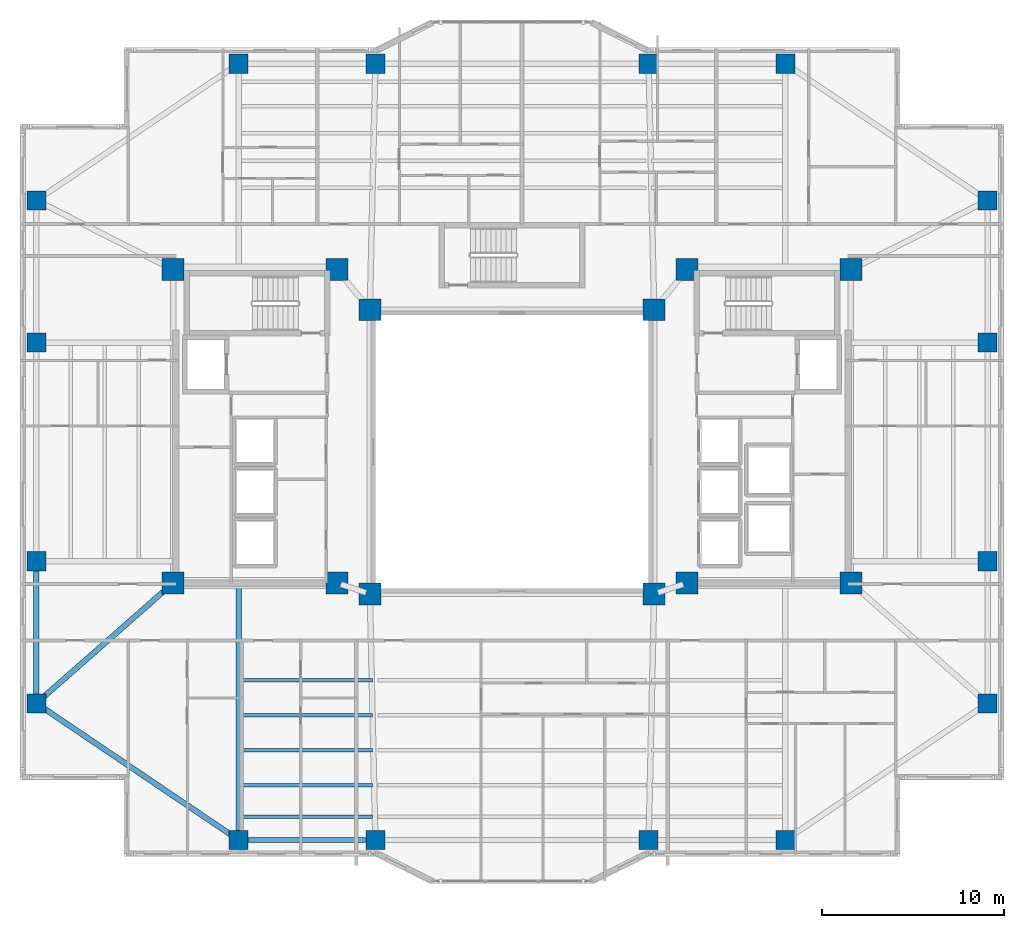
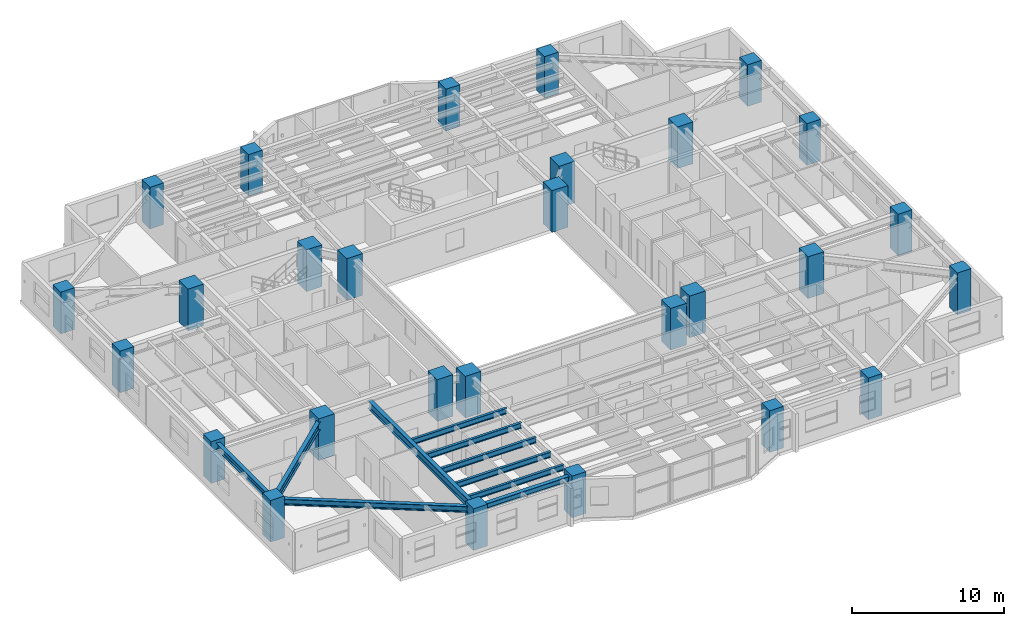
# One storey, part 1 of 19: 28 columns, 10 beams.
"""IFC4 building model written with IfcOpenShell, lengths in metres."""

import ifcopenshell
import ifcopenshell.guid

model = None  # the IFC model being written
_history = None  # IfcOwnerHistory: only IFC2X3 demands one
_inside = {}  # id of a spatial element -> (the spatial element, [elements in it])
_under = {}  # id of a project, library or spatial element -> (it, [spatial elements below it])
_declared = {}  # id of a project -> (the project, [libraries it declares])
_typed = {}  # id of a type object -> (the type object, [elements of that type])
_made_of = {}  # id of a material, layer set ... -> (it, [elements and type objects made of it])


def new_model(schema):
    """Start an empty IFC model of exactly this schema.

    Asked for "IFC4X3", IfcOpenShell would pick the latest addendum, in which some entities
    have other attributes; the version numbers below select the first issue.
    IFC2X3 requires an IfcOwnerHistory on every rooted entity: one is made here for all.
    """
    global model, _history
    if schema == "IFC4X3":
        model = ifcopenshell.file(schema_version=(4, 3, 0, 0))
    else:
        model = ifcopenshell.file(schema=schema)
    _inside.clear()
    _under.clear()
    _declared.clear()
    _typed.clear()
    _made_of.clear()
    _history = None
    if model.schema == "IFC2X3":
        org = make("IfcOrganization", Name="unknown")
        user = make(
            "IfcPersonAndOrganization",
            ThePerson=make("IfcPerson", FamilyName="unknown"),
            TheOrganization=org,
        )
        app = make(
            "IfcApplication",
            ApplicationDeveloper=org,
            Version="unknown",
            ApplicationFullName="unknown",
            ApplicationIdentifier="unknown",
        )
        _history = make(
            "IfcOwnerHistory",
            OwningUser=user,
            OwningApplication=app,
            ChangeAction="ADDED",
            CreationDate=0,
        )
    return model


def make(cls, **values):
    """One entity of the class cls with the attributes given. An attribute that is None is left unset."""
    return model.create_entity(
        cls, **{name: value for name, value in values.items() if value is not None}
    )


def rooted(cls, **values):
    """An entity with a GlobalId (a new one), such as an element, a storey or a relation."""
    return make(cls, GlobalId=ifcopenshell.guid.new(), OwnerHistory=_history, **values)


def si_unit(unit_type, name, prefix=None):
    """IfcSIUnit, for example si_unit("LENGTHUNIT", "METRE", prefix="MILLI")."""
    return make("IfcSIUnit", UnitType=unit_type, Prefix=prefix, Name=name)


def assignment(units):
    """IfcUnitAssignment: the units of a project."""
    return None if units is None else make("IfcUnitAssignment", Units=units)


def point(xyz):
    """IfcCartesianPoint."""
    return None if xyz is None else make("IfcCartesianPoint", Coordinates=xyz)


def direction(xyz):
    """IfcDirection."""
    return None if xyz is None else make("IfcDirection", DirectionRatios=xyz)


def frame(location, z_axis=None, x_axis=None):
    """IfcAxis2Placement3D, a coordinate frame: its origin and axes. An axis left out is left unset."""
    return make(
        "IfcAxis2Placement3D",
        Location=point(location),
        Axis=direction(z_axis),
        RefDirection=direction(x_axis),
    )


def frame_2d(location, x_axis=None):
    """IfcAxis2Placement2D, a coordinate frame in the plane: its origin and x axis."""
    return make(
        "IfcAxis2Placement2D", Location=point(location), RefDirection=direction(x_axis)
    )


def origin():
    """The frame at (0, 0, 0) with its axes left unset."""
    return frame((0.0, 0.0, 0.0))


def origin_2d():
    """The frame at (0, 0) in the plane with its x axis left unset."""
    return frame_2d((0.0, 0.0))


def place(relative_to, where):
    """IfcLocalPlacement: puts the frame where relative to a parent placement (None: the world)."""
    return make(
        "IfcLocalPlacement", PlacementRelTo=relative_to, RelativePlacement=where
    )


def context(
    kind, dimensions, precision=None, world=None, true_north=None, identifier=None
):
    """IfcGeometricRepresentationContext, for example the 3D "Model" context."""
    return make(
        "IfcGeometricRepresentationContext",
        ContextIdentifier=identifier,
        ContextType=kind,
        CoordinateSpaceDimension=dimensions,
        Precision=precision,
        WorldCoordinateSystem=world,
        TrueNorth=true_north,
    )


def subcontext(parent, identifier, kind, view, scale=None):
    """IfcGeometricRepresentationSubContext, for example "Body" below "Model"."""
    return make(
        "IfcGeometricRepresentationSubContext",
        ContextIdentifier=identifier,
        ContextType=kind,
        ParentContext=parent,
        TargetScale=scale,
        TargetView=view,
    )


def project(units=None, contexts=None):
    """IfcProject with its units and contexts."""
    return rooted(
        "IfcProject",
        Name="project",
        RepresentationContexts=contexts,
        UnitsInContext=assignment(units),
    )


def spatial(cls, under=None, at=None, **own):
    """A site, building, storey or space (cls), placed at a placement, below another one or the project."""
    s = rooted(cls, ObjectPlacement=at, **own)
    if under is not None:
        _under.setdefault(under.id(), (under, []))[1].append(s)
    return s


def profile(cls, at=None, kind="AREA", **sizes):
    """A parametric profile (cls). Its sizes go by their IFC names, for example OverallWidth=200.0."""
    return make(cls, ProfileType=kind, Position=at, **sizes)


def rectangle(**sizes):
    """IfcRectangleProfileDef."""
    return profile("IfcRectangleProfileDef", **sizes)


def i_section(**sizes):
    """IfcIShapeProfileDef."""
    return profile("IfcIShapeProfileDef", **sizes)


def extrude(swept, where, along, depth):
    """IfcExtrudedAreaSolid: the profile swept, set in the frame where, extruded along a direction by depth."""
    return make(
        "IfcExtrudedAreaSolid",
        SweptArea=swept,
        Position=where,
        ExtrudedDirection=direction(along),
        Depth=depth,
    )


def shape(context_of_items, identifier, shape_type, items):
    """IfcShapeRepresentation: the items that make up one representation, for example the "Body"."""
    return make(
        "IfcShapeRepresentation",
        ContextOfItems=context_of_items,
        RepresentationIdentifier=identifier,
        RepresentationType=shape_type,
        Items=items,
    )


def material(Name=None, Category=None):
    """IfcMaterial."""
    return make("IfcMaterial", Name=Name, Category=Category)


def material_profile(
    of_material, cross_section, Name=None, Category=None, Priority=None
):
    """IfcMaterialProfile: a cross section and its material."""
    return make(
        "IfcMaterialProfile",
        Name=Name,
        Material=of_material,
        Profile=cross_section,
        Priority=Priority,
        Category=Category,
    )


def profile_set(profiles, Name=None, composite=None):
    """IfcMaterialProfileSet."""
    return make(
        "IfcMaterialProfileSet",
        Name=Name,
        MaterialProfiles=profiles,
        CompositeProfile=composite,
    )


def made_of(thing, what):
    """Note that an element or type object is made of a material, layer set ...; save() writes the relation."""
    if what is not None:
        _made_of.setdefault(what.id(), (what, []))[1].append(thing)
    return thing


def type_object(cls, material=None, **own):
    """A type object (cls), such as IfcWallType, which elements share."""
    return made_of(rooted(cls, **own), material)


def element(
    cls,
    number,
    at=None,
    inside=None,
    cuts=None,
    type_object=None,
    material=None,
    context=None,
    identifier="Body",
    shape_type=None,
    held_by="IfcProductDefinitionShape",
    body=None,
    shapes=None,
    **own,
):
    """One element of the class cls, such as IfcWall. Its Tag is "e" and its number.

    at: its placement. inside: the storey or other place that contains it. cuts: it is an
    opening in that element (IfcRelVoidsElement). A single representation is given by context,
    identifier, shape_type and body (its items); several are given by shapes. held_by: the class
    of the entity that holds the representations. save() writes the other relations.
    """
    e = rooted(cls, Tag="e%d" % number, ObjectPlacement=at, **own)
    if body is not None:
        shapes = [shape(context, identifier, shape_type, body)]
    if shapes is not None:
        e.Representation = make(held_by, Representations=shapes)
    if inside is not None:
        _inside.setdefault(inside.id(), (inside, []))[1].append(e)
    if cuts is not None:
        rooted(
            "IfcRelVoidsElement", RelatingBuildingElement=cuts, RelatedOpeningElement=e
        )
    if type_object is not None:
        _typed.setdefault(type_object.id(), (type_object, []))[1].append(e)
    return made_of(e, material)


def aggregate(whole, parts):
    """IfcRelAggregates: a whole, such as a stair, and the parts it consists of."""
    return rooted("IfcRelAggregates", RelatingObject=whole, RelatedObjects=parts)


def save(model, path):
    """Write the relations noted so far, then the file.

    IfcRelAggregates (storeys below a building ...), IfcRelContainedInSpatialStructure (elements
    in a storey), IfcRelDefinesByType, IfcRelAssociatesMaterial and IfcRelDeclares: one each for
    every whole, place, type object, material and project.
    """
    for whole, parts in _under.values():
        aggregate(whole, parts)
    for where, things in _inside.values():
        rooted(
            "IfcRelContainedInSpatialStructure",
            RelatedElements=things,
            RelatingStructure=where,
        )
    for kind, things in _typed.values():
        rooted("IfcRelDefinesByType", RelatedObjects=things, RelatingType=kind)
    for what, things in _made_of.values():
        rooted("IfcRelAssociatesMaterial", RelatedObjects=things, RelatingMaterial=what)
    for by, libraries in _declared.values():
        rooted("IfcRelDeclares", RelatingContext=by, RelatedDefinitions=libraries)
    model.write(path)


model = new_model("IFC4")

# Units and contexts
model_context = context("Model", 3, precision=1e-05, world=origin(), true_north=direction((0.0, 1.0)))
body_context = subcontext(model_context, "Body", "Model", "MODEL_VIEW")
ifc_project = project(units=[si_unit("LENGTHUNIT", "METRE"), si_unit("AREAUNIT", "SQUARE_METRE"), si_unit("VOLUMEUNIT", "CUBIC_METRE"), si_unit("PLANEANGLEUNIT", "RADIAN"), si_unit("MASSUNIT", "GRAM", prefix="KILO")], contexts=[model_context])

# Site, building, storey
site_placement = place(None, origin())
site = spatial("IfcSite", under=ifc_project, at=site_placement, CompositionType="ELEMENT")
building_placement = place(site_placement, origin())
building = spatial("IfcBuilding", under=site, at=building_placement, Name="Tarnavaz Court Tower", CompositionType="ELEMENT")
storey_placement = place(building_placement, frame((0.0, 0.0, 111.800048828125)))
storey = spatial("IfcBuildingStorey", under=building, at=storey_placement, Name="L30", CompositionType="ELEMENT", Elevation=111.800048828125)

# Columns
ifc_material_1 = material(Name="Concrete C60/75", Category="concrete")
ifc_material_profile_1 = material_profile(ifc_material_1, rectangle(XDim=1.050048828125, YDim=1.050048828125, at=origin_2d()), Name="RC 1050X1050")
ifc_profile_set_1 = profile_set([ifc_material_profile_1], Name="Concrete C60/75")
column_type_1 = type_object("IfcColumnType", Name="CL-RC1050", PredefinedType="COLUMN", material=ifc_profile_set_1)
for number, where, z_axis, x_axis, name in (
    (1, (-15.0, 21.300048828125, 0.0), (0.0, 0.0, 1.0), (1.0, 0.0, 0.0), "L30 Column PN-1"),
    (2, (-7.5, 21.300048828125, 0.0), (0.0, 0.0, 1.0), (1.0, 0.0, 0.0), "L30 Column PN-2"),
    (3, (7.5, 21.300048828125, 0.0), (0.0, 0.0, 1.0), (1.0, 0.0, 0.0), "L30 Column PN-3"),
    (4, (15.0, 21.300048828125, 0.0), (0.0, 0.0, 1.0), (1.0, 0.0, 0.0), "L30 Column PN-4"),
    (5, (-15.0, -21.300048828125, 0.0), (0.0, 0.0, 1.0), (1.0, 0.0, 0.0), "L30 Column PS-1"),
    (6, (-7.5, -21.300048828125, 0.0), (0.0, 0.0, 1.0), (1.0, 0.0, 0.0), "L30 Column PS-2"),
    (7, (7.5, -21.300048828125, 0.0), (0.0, 0.0, 1.0), (1.0, 0.0, 0.0), "L30 Column PS-3"),
    (8, (15.0, -21.300048828125, 0.0), (0.0, 0.0, 1.0), (1.0, 0.0, 0.0), "L30 Column PS-4"),
    (9, (26.10009765625, -13.800048828125, 0.0), (0.0, 0.0, 1.0), (1.0, 0.0, 0.0), "L30 Column PE-1"),
    (10, (26.10009765625, -6.0, 0.0), (0.0, 0.0, 1.0), (1.0, 0.0, 0.0), "L30 Column PE-2"),
    (11, (26.10009765625, 6.0, 0.0), (0.0, 0.0, 1.0), (1.0, 0.0, 0.0), "L30 Column PE-3"),
    (12, (26.10009765625, 13.800048828125, 0.0), (0.0, 0.0, 1.0), (1.0, 0.0, 0.0), "L30 Column PE-4"),
    (13, (-26.10009765625, -13.800048828125, 0.0), (0.0, 0.0, 1.0), (1.0, 0.0, 0.0), "L30 Column PW-1"),
    (14, (-26.10009765625, -6.0, 0.0), (0.0, 0.0, 1.0), (1.0, 0.0, 0.0), "L30 Column PW-2"),
    (15, (-26.10009765625, 6.0, 0.0), (0.0, 0.0, 1.0), (1.0, 0.0, 0.0), "L30 Column PW-3"),
    (16, (-26.10009765625, 13.800048828125, 0.0), (0.0, 0.0, 1.0), (1.0, 0.0, 0.0), "L30 Column PW-4"),
):
    element("IfcColumn", number, at=place(storey_placement, frame(where, z_axis=z_axis, x_axis=x_axis)), inside=storey, type_object=column_type_1, Name=name, PredefinedType="COLUMN", context=body_context, shape_type="SweptSolid", body=[
        extrude(rectangle(XDim=1.050048828125, YDim=1.050048828125, at=origin_2d()), origin(), (0.0, 0.0, 1.0), 3.349853515625),
    ])
ifc_material_profile_2 = material_profile(ifc_material_1, rectangle(XDim=1.199951171875, YDim=1.199951171875, at=origin_2d()), Name="RC 1200X1200")
ifc_profile_set_2 = profile_set([ifc_material_profile_2], Name="Concrete C60/75")
column_type_2 = type_object("IfcColumnType", Name="CL-RC1200", PredefinedType="COLUMN", material=ifc_profile_set_2)
for number, where, z_axis, x_axis, name in (
    (17, (-7.800048828125, -7.800048828125, 0.0), (0.0, 0.0, 1.0), (1.0, 0.0, 0.0), "L30 Column IW-SW"),
    (18, (7.800048828125, -7.800048828125, 0.0), (0.0, 0.0, 1.0), (1.0, 0.0, 0.0), "L30 Column IW-SE"),
    (19, (-7.800048828125, 7.800048828125, 0.0), (0.0, 0.0, 1.0), (1.0, 0.0, 0.0), "L30 Column IW-NW"),
    (20, (7.800048828125, 7.800048828125, 0.0), (0.0, 0.0, 1.0), (1.0, 0.0, 0.0), "L30 Column IW-NE"),
    (21, (-9.60009765625, -7.199951171875, 0.0), (0.0, 0.0, 1.0), (1.0, 0.0, 0.0), "L30 Column CW-SI"),
    (22, (-9.60009765625, 10.0, 0.0), (0.0, 0.0, 1.0), (1.0, 0.0, 0.0), "L30 Column CW-NI"),
    (23, (9.60009765625, -7.199951171875, 0.0), (0.0, 0.0, 1.0), (1.0, 0.0, 0.0), "L30 Column CE-SI"),
    (24, (9.60009765625, 10.0, 0.0), (0.0, 0.0, 1.0), (1.0, 0.0, 0.0), "L30 Column CE-NI"),
    (25, (-18.60009765625, -7.199951171875, 0.0), (0.0, 0.0, 1.0), (1.0, 0.0, 0.0), "L30 Column CW-SO"),
    (26, (-18.60009765625, 10.0, 0.0), (0.0, 0.0, 1.0), (1.0, 0.0, 0.0), "L30 Column CW-NO"),
    (27, (18.60009765625, -7.199951171875, 0.0), (0.0, 0.0, 1.0), (1.0, 0.0, 0.0), "L30 Column CE-SO"),
    (28, (18.60009765625, 10.0, 0.0), (0.0, 0.0, 1.0), (1.0, 0.0, 0.0), "L30 Column CE-NO"),
):
    element("IfcColumn", number, at=place(storey_placement, frame(where, z_axis=z_axis, x_axis=x_axis)), inside=storey, type_object=column_type_2, Name=name, PredefinedType="COLUMN", context=body_context, shape_type="SweptSolid", body=[
        extrude(rectangle(XDim=1.199951171875, YDim=1.199951171875, at=origin_2d()), origin(), (0.0, 0.0, 1.0), 3.349853515625),
    ])

# Beams
ifc_material_2 = material(Name="Steel S355", Category="steel")
ifc_material_profile_3 = material_profile(ifc_material_2, i_section(OverallWidth=0.300048828125, OverallDepth=0.64990234375, WebThickness=0.01611328125, FlangeThickness=0.031005859375, FilletRadius=0.027099609375, at=origin_2d()), Name="HEB 650")
ifc_profile_set_3 = profile_set([ifc_material_profile_3], Name="Steel S355")
beam_type_1 = type_object("IfcBeamType", Name="BM-G-HEB650", PredefinedType="USERDEFINED", material=ifc_profile_set_3)
beam_1_placement = place(storey_placement, frame((-15.0, -7.239990234375, 2.77490234375), z_axis=(0.0, -1.0, 0.0), x_axis=(1.0, 0.0, 0.0)))
element("IfcBeam", 29, at=beam_1_placement, inside=storey, type_object=beam_type_1, Name="L30 Beam RG-05", ObjectType="GIRDER", PredefinedType="USERDEFINED", context=body_context, shape_type="SweptSolid", body=[
    extrude(i_section(OverallWidth=0.300048828125, OverallDepth=0.64990234375, WebThickness=0.01611328125, FlangeThickness=0.031005859375, FilletRadius=0.027099609375, at=origin_2d()), origin(), (0.0, 0.0, 1.0), 13.840087890625),
])
beam_2_placement = place(storey_placement, frame((-18.76513671875, -7.34521484375, 2.77490234375), z_axis=(-0.750700332035, -0.660642877417, 0.0), x_axis=(0.660642877417, -0.750700332035, 0.0)))
element("IfcBeam", 30, at=beam_2_placement, inside=storey, type_object=beam_type_1, Name="L30 Beam RG-15", ObjectType="GIRDER", PredefinedType="USERDEFINED", context=body_context, shape_type="SweptSolid", body=[
    extrude(i_section(OverallWidth=0.300048828125, OverallDepth=0.64990234375, WebThickness=0.01611328125, FlangeThickness=0.031005859375, FilletRadius=0.027099609375, at=origin_2d()), origin(), (0.0, 0.0, 1.0), 9.550537109375),
])
ifc_material_profile_4 = material_profile(ifc_material_2, i_section(OverallWidth=0.18994140625, OverallDepth=0.449951171875, WebThickness=0.009521484375, FlangeThickness=0.0146484375, FilletRadius=0.02099609375, at=origin_2d()), Name="IPE 450")
ifc_profile_set_4 = profile_set([ifc_material_profile_4], Name="Steel S355")
beam_type_2 = type_object("IfcBeamType", Name="BM-J-IPE450", PredefinedType="JOIST", material=ifc_profile_set_4)
for number, where, z_axis, x_axis, name in (
    (31, (-14.85009765625, -12.52587890625, 2.875), (1.0, 0.0, 0.0), (0.0, 1.0, 0.0), "L30 Beam JS1-1"),
    (32, (-14.85009765625, -14.451904296875, 2.875), (1.0, 0.0, 0.0), (0.0, 1.0, 0.0), "L30 Beam JS2-1"),
    (33, (-14.85009765625, -16.3779296875, 2.875), (1.0, 0.0, 0.0), (0.0, 1.0, 0.0), "L30 Beam JS3-1"),
    (34, (-14.85009765625, -18.303955078125, 2.875), (1.0, 0.0, 0.0), (0.0, 1.0, 0.0), "L30 Beam JS4-1"),
    (35, (-14.85009765625, -20.01611328125, 2.875), (1.0, 0.0, 0.0), (0.0, 1.0, 0.0), "L30 Beam JS5-1"),
):
    element("IfcBeam", number, at=place(storey_placement, frame(where, z_axis=z_axis, x_axis=x_axis)), inside=storey, type_object=beam_type_2, Name=name, PredefinedType="JOIST", context=body_context, shape_type="SweptSolid", body=[
        extrude(i_section(OverallWidth=0.18994140625, OverallDepth=0.449951171875, WebThickness=0.009521484375, FlangeThickness=0.0146484375, FilletRadius=0.02099609375, at=origin_2d()), origin(), (0.0, 0.0, 1.0), 7.2001953125),
    ])
ifc_material_profile_5 = material_profile(ifc_material_2, i_section(OverallWidth=0.300048828125, OverallDepth=0.489990234375, WebThickness=0.011962890625, FlangeThickness=0.02294921875, FilletRadius=0.027099609375, at=origin_2d()), Name="HEA 500")
ifc_profile_set_5 = profile_set([ifc_material_profile_5], Name="Steel S355")
beam_type_3 = type_object("IfcBeamType", Name="BM-SP-HEA500", PredefinedType="SPANDREL", material=ifc_profile_set_5)
beam_3_placement = place(storey_placement, frame((-14.780029296875, -21.300048828125, 2.85498046875), z_axis=(1.0, 0.0, 0.0), x_axis=(0.0, 1.0, 0.0)))
element("IfcBeam", 36, at=beam_3_placement, inside=storey, type_object=beam_type_3, Name="L30 Beam PR-PS-1-PS-2", PredefinedType="SPANDREL", context=body_context, shape_type="SweptSolid", body=[
    extrude(i_section(OverallWidth=0.300048828125, OverallDepth=0.489990234375, WebThickness=0.011962890625, FlangeThickness=0.02294921875, FilletRadius=0.027099609375, at=origin_2d()), origin(), (0.0, 0.0, 1.0), 7.06005859375),
])
beam_4_placement = place(storey_placement, frame((-26.10009765625, -13.580078125, 2.85498046875), z_axis=(0.0, 1.0, 0.0), x_axis=(-1.0, 0.0, 0.0)))
element("IfcBeam", 37, at=beam_4_placement, inside=storey, type_object=beam_type_3, Name="L30 Beam PR-PW-1-PW-2", PredefinedType="SPANDREL", context=body_context, shape_type="SweptSolid", body=[
    extrude(i_section(OverallWidth=0.300048828125, OverallDepth=0.489990234375, WebThickness=0.011962890625, FlangeThickness=0.02294921875, FilletRadius=0.027099609375, at=origin_2d()), origin(), (0.0, 0.0, 1.0), 7.360107421875),
])
beam_5_placement = place(storey_placement, frame((-15.182373046875, -21.1767578125, 2.85498046875), z_axis=(-0.828587314918, 0.559859858854, 0.0), x_axis=(-0.559859858854, -0.828587314918, 0.0)))
element("IfcBeam", 38, at=beam_5_placement, inside=storey, type_object=beam_type_3, Name="L30 Beam PR-PS-1-PW-1", PredefinedType="SPANDREL", context=body_context, shape_type="SweptSolid", body=[
    extrude(i_section(OverallWidth=0.300048828125, OverallDepth=0.489990234375, WebThickness=0.011962890625, FlangeThickness=0.02294921875, FilletRadius=0.027099609375, at=origin_2d()), origin(), (0.0, 0.0, 1.0), 12.956298828125),
])

save(model, "model.ifc")
